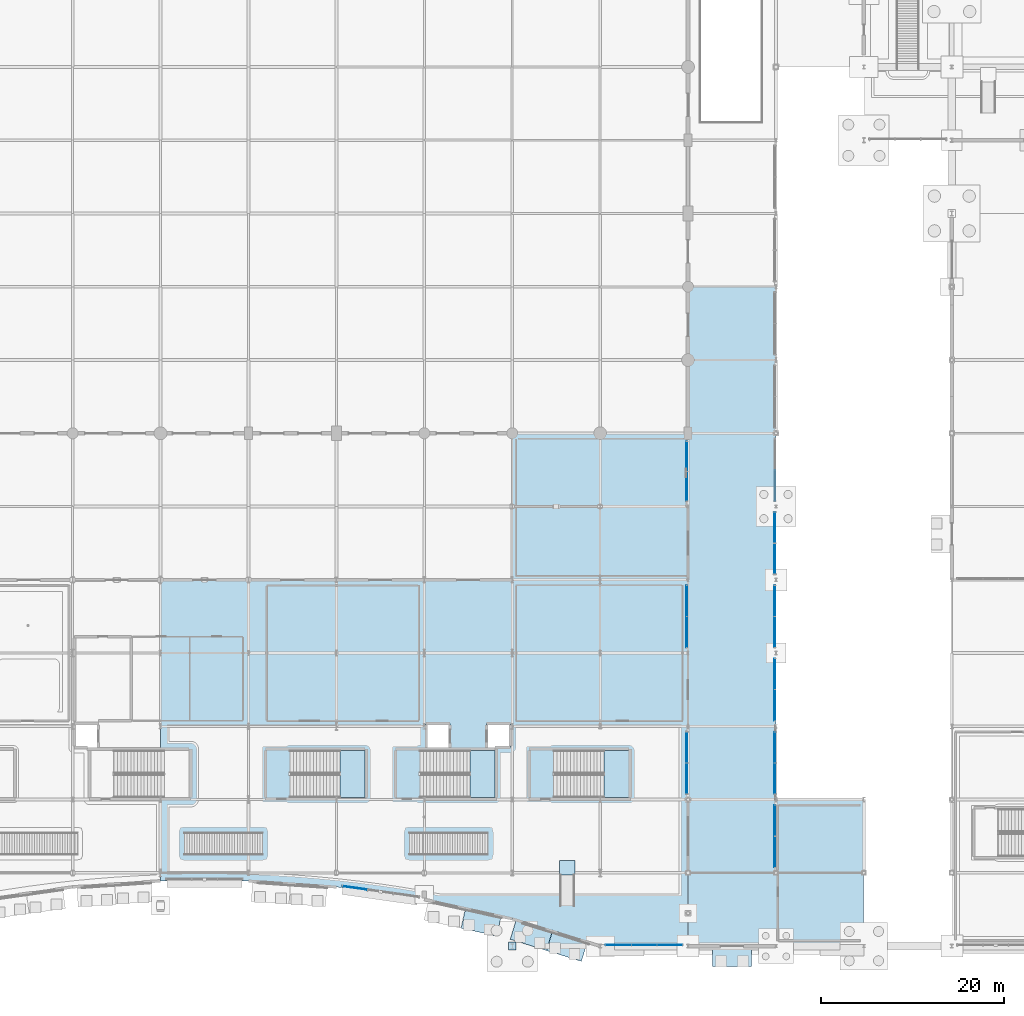
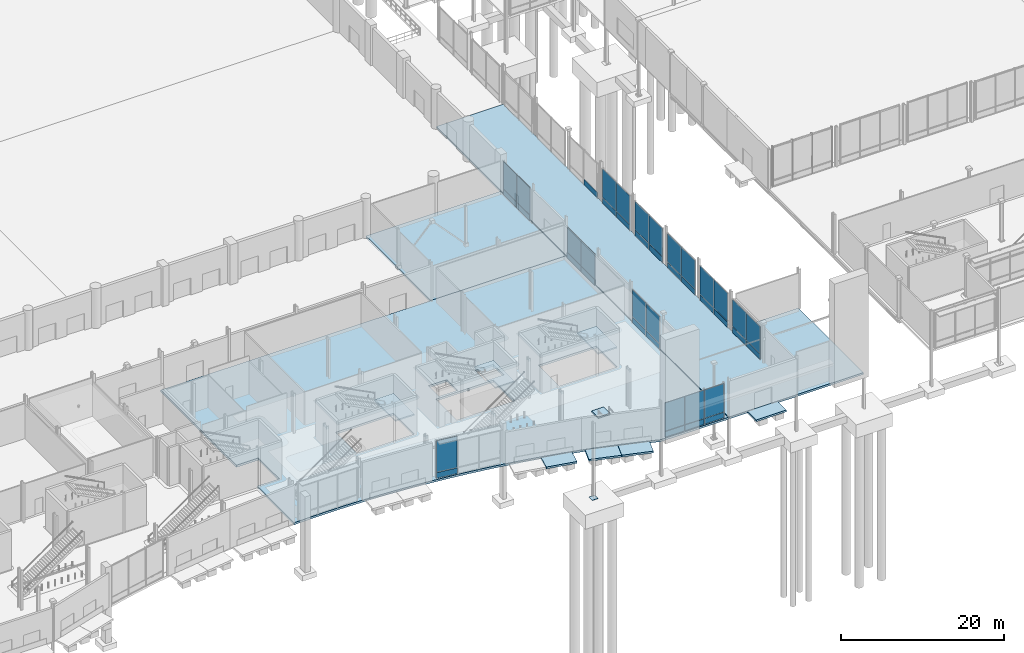
# One storey, part 67 of 124: 42 plates, 11 slabs, 14 elements without a shape of their own.
"""IFC4 building model written with IfcOpenShell, lengths in metres."""

from ifc_helpers import new_model, si_unit, direction, frame, origin, origin_2d, place, context, subcontext, project, spatial, polyline, rectangle, outline, extrude, material, layer, layer_set, type_object, element, aggregate, save


model = new_model("IFC4")

# Units and contexts
model_context = context("Model", 3, precision=1e-05, world=origin(), true_north=direction((0.0, 1.0)))
body_context = subcontext(model_context, "Body", "Model", "MODEL_VIEW")
ifc_project = project(units=[si_unit("LENGTHUNIT", "METRE"), si_unit("AREAUNIT", "SQUARE_METRE"), si_unit("VOLUMEUNIT", "CUBIC_METRE"), si_unit("PLANEANGLEUNIT", "RADIAN"), si_unit("MASSUNIT", "GRAM", prefix="KILO")], contexts=[model_context])

# Site, building, storey
site_placement = place(None, origin())
site = spatial("IfcSite", under=ifc_project, at=site_placement, CompositionType="ELEMENT")
building_placement = place(site_placement, origin())
building = spatial("IfcBuilding", under=site, at=building_placement, Name="Danafjord Basin Convention Centre", CompositionType="ELEMENT")
storey_placement = place(building_placement, origin())
storey = spatial("IfcBuildingStorey", under=building, at=storey_placement, Name="L00", CompositionType="ELEMENT", Elevation=0.0)

# Plate
ifc_material_1 = material(Name="Steel S355", Category="steel")
ifc_layer_1 = layer(ifc_material_1, 0.0400390625)
ifc_layer_set_1 = layer_set([ifc_layer_1], Name="Steel S355")
plate_type_1 = type_object("IfcPlateType", Name="PLT-BP-40", PredefinedType="SHEET", material=ifc_layer_set_1)
plate_1_placement = place(storey_placement, frame((96.0, 0.0, -5.39990234375), z_axis=(0.0, 0.0, 1.0), x_axis=(1.0, 0.0, 0.0)))
element("IfcPlate", 1, at=plate_1_placement, inside=storey, type_object=plate_type_1, Name="L00 column baseplate BP-40 at (96.0, 0.0)", PredefinedType="SHEET", context=body_context, shape_type="SweptSolid", body=[
    extrude(rectangle(XDim=0.85009765625, YDim=0.85009765625, at=origin_2d()), origin(), (0.0, 0.0, 1.0), 0.0400390625),
])

# Curtain wall, plate
ifc_material_2 = material(Name="Anodised aluminium and triple glazing", Category="aluminium")
curtain_wall_type_1 = type_object("IfcCurtainWallType", Name="CW-CW-HARB", PredefinedType="NOTDEFINED", material=ifc_material_2)
curtain_wall_1_placement = place(storey_placement, origin())
curtain_wall_1 = element("IfcCurtainWall", 2, at=curtain_wall_1_placement, inside=storey, type_object=curtain_wall_type_1, Name="L00 CW-HARB unitised curtain wall bay 14", PredefinedType="NOTDEFINED")
ifc_material_3 = material(Name="Triple low-E insulated glazing", Category="glass")
ifc_layer_2 = layer(ifc_material_3, 0.0380859375)
ifc_layer_set_2 = layer_set([ifc_layer_2], Name="Triple low-E insulated glazing")
plate_type_2 = type_object("IfcPlateType", Name="PLT-GP-38", PredefinedType="CURTAIN_PANEL", material=ifc_layer_set_2)
plate_2_placement = place(storey_placement, frame((78.822509765625, 6.35595703125, 0.97802734375), z_axis=(0.0, 0.0, 1.0), x_axis=(0.990128157327, -0.140165017276, 0.0)))
plate_2 = element("IfcPlate", 3, at=plate_2_placement, type_object=plate_type_2, Name="CW-L00-014 vision glazing unit 1", PredefinedType="CURTAIN_PANEL", context=body_context, shape_type="SweptSolid", body=[
    extrude(rectangle(XDim=2.77587890625, YDim=0.0380859375, at=origin_2d()), origin(), (0.0, 0.0, 1.0), 4.7041015625),
])

# Curtain wall, plates
curtain_wall_type_2 = type_object("IfcCurtainWallType", Name="CW-CW-TERR", PredefinedType="NOTDEFINED", material=ifc_material_2)
curtain_wall_2_placement = place(storey_placement, origin())
curtain_wall_2 = element("IfcCurtainWall", 4, at=curtain_wall_2_placement, inside=storey, type_object=curtain_wall_type_2, Name="L00 CW-TERR unitised curtain wall bay 44", PredefinedType="NOTDEFINED")
plate_3_placement = place(storey_placement, frame((115.050048828125, 18.300048828125, 0.97802734375), z_axis=(0.0, 0.0, 1.0), x_axis=(0.0, 1.0, 0.0)))
plate_3 = element("IfcPlate", 5, at=plate_3_placement, type_object=plate_type_2, Name="CW-L00-044 vision glazing unit 1", PredefinedType="CURTAIN_PANEL", context=body_context, shape_type="SweptSolid", body=[
    extrude(rectangle(XDim=3.343994140625, YDim=0.0380859375, at=origin_2d()), origin(), (0.0, 0.0, 1.0), 4.083984375),
])
plate_4_placement = place(storey_placement, frame((115.050048828125, 21.699951171875, 0.97802734375), z_axis=(0.0, 0.0, 1.0), x_axis=(0.0, 1.0, 0.0)))
plate_4 = element("IfcPlate", 6, at=plate_4_placement, type_object=plate_type_2, Name="CW-L00-044 vision glazing unit 2", PredefinedType="CURTAIN_PANEL", context=body_context, shape_type="SweptSolid", body=[
    extrude(rectangle(XDim=3.343994140625, YDim=0.0380859375, at=origin_2d()), origin(), (0.0, 0.0, 1.0), 4.083984375),
])

curtain_wall_3_placement = place(storey_placement, origin())
curtain_wall_3 = element("IfcCurtainWall", 7, at=curtain_wall_3_placement, inside=storey, type_object=curtain_wall_type_2, Name="L00 CW-TERR unitised curtain wall bay 46", PredefinedType="NOTDEFINED")
plate_5_placement = place(storey_placement, frame((115.050048828125, 50.22509765625, 0.97802734375), z_axis=(0.0, 0.0, 1.0), x_axis=(0.0, 1.0, 0.0)))
plate_5 = element("IfcPlate", 8, at=plate_5_placement, type_object=plate_type_2, Name="CW-L00-046 vision glazing unit 1", PredefinedType="CURTAIN_PANEL", context=body_context, shape_type="SweptSolid", body=[
    extrude(rectangle(XDim=3.194091796875, YDim=0.0380859375, at=origin_2d()), origin(), (0.0, 0.0, 1.0), 4.083984375),
])
plate_6_placement = place(storey_placement, frame((115.050048828125, 53.47509765625, 0.97802734375), z_axis=(0.0, 0.0, 1.0), x_axis=(0.0, 1.0, 0.0)))
plate_6 = element("IfcPlate", 9, at=plate_6_placement, type_object=plate_type_2, Name="CW-L00-046 vision glazing unit 2", PredefinedType="CURTAIN_PANEL", context=body_context, shape_type="SweptSolid", body=[
    extrude(rectangle(XDim=3.194091796875, YDim=0.0380859375, at=origin_2d()), origin(), (0.0, 0.0, 1.0), 4.083984375),
])

curtain_wall_4_placement = place(storey_placement, origin())
curtain_wall_4 = element("IfcCurtainWall", 10, at=curtain_wall_4_placement, inside=storey, type_object=curtain_wall_type_1, Name="L00 CW-HARB unitised curtain wall bay 15", PredefinedType="NOTDEFINED")
ifc_layer_3 = layer(ifc_material_3, 0.048095703125)
ifc_layer_set_3 = layer_set([ifc_layer_3], Name="Triple low-E insulated glazing")
plate_type_3 = type_object("IfcPlateType", Name="PLT-GP-48", PredefinedType="CURTAIN_PANEL", material=ifc_layer_set_3)
plate_7_placement = place(storey_placement, frame((107.60009765625, 0.1201171875, 0.97802734375), z_axis=(0.0, 0.0, 1.0), x_axis=(1.0, 0.0, 0.0)))
plate_7 = element("IfcPlate", 11, at=plate_7_placement, type_object=plate_type_3, Name="CW-L00-015 vision glazing unit 1", PredefinedType="CURTAIN_PANEL", context=body_context, shape_type="SweptSolid", body=[
    extrude(rectangle(XDim=2.743896484375, YDim=0.048095703125, at=origin_2d()), origin(), (0.0, 0.0, 1.0), 4.23388671875),
])
plate_8_placement = place(storey_placement, frame((110.39990234375, 0.1201171875, 0.97802734375), z_axis=(0.0, 0.0, 1.0), x_axis=(1.0, 0.0, 0.0)))
plate_8 = element("IfcPlate", 12, at=plate_8_placement, type_object=plate_type_3, Name="CW-L00-015 vision glazing unit 2", PredefinedType="CURTAIN_PANEL", context=body_context, shape_type="SweptSolid", body=[
    extrude(rectangle(XDim=2.743896484375, YDim=0.048095703125, at=origin_2d()), origin(), (0.0, 0.0, 1.0), 4.23388671875),
])
plate_9_placement = place(storey_placement, frame((113.199951171875, 0.1201171875, 0.97802734375), z_axis=(0.0, 0.0, 1.0), x_axis=(1.0, 0.0, 0.0)))
plate_9 = element("IfcPlate", 13, at=plate_9_placement, type_object=plate_type_3, Name="CW-L00-015 vision glazing unit 3", PredefinedType="CURTAIN_PANEL", context=body_context, shape_type="SweptSolid", body=[
    extrude(rectangle(XDim=2.743896484375, YDim=0.048095703125, at=origin_2d()), origin(), (0.0, 0.0, 1.0), 4.23388671875),
])

curtain_wall_5_placement = place(storey_placement, origin())
curtain_wall_5 = element("IfcCurtainWall", 14, at=curtain_wall_5_placement, inside=storey, type_object=curtain_wall_type_2, Name="L00 CW-TERR unitised curtain wall bay 45", PredefinedType="NOTDEFINED")
plate_10_placement = place(storey_placement, frame((115.050048828125, 34.300048828125, 0.97802734375), z_axis=(0.0, 0.0, 1.0), x_axis=(0.0, 1.0, 0.0)))
plate_10 = element("IfcPlate", 15, at=plate_10_placement, type_object=plate_type_3, Name="CW-L00-045 vision glazing unit 1", PredefinedType="CURTAIN_PANEL", context=body_context, shape_type="SweptSolid", body=[
    extrude(rectangle(XDim=3.343994140625, YDim=0.048095703125, at=origin_2d()), origin(), (0.0, 0.0, 1.0), 3.783935546875),
])
plate_11_placement = place(storey_placement, frame((115.050048828125, 37.699951171875, 0.97802734375), z_axis=(0.0, 0.0, 1.0), x_axis=(0.0, 1.0, 0.0)))
plate_11 = element("IfcPlate", 16, at=plate_11_placement, type_object=plate_type_3, Name="CW-L00-045 vision glazing unit 2", PredefinedType="CURTAIN_PANEL", context=body_context, shape_type="SweptSolid", body=[
    extrude(rectangle(XDim=3.343994140625, YDim=0.048095703125, at=origin_2d()), origin(), (0.0, 0.0, 1.0), 3.783935546875),
])

curtain_wall_type_3 = type_object("IfcCurtainWallType", Name="CW-CW-BRIDGE", PredefinedType="NOTDEFINED", material=ifc_material_2)
curtain_wall_6_placement = place(storey_placement, origin())
curtain_wall_6 = element("IfcCurtainWall", 17, at=curtain_wall_6_placement, inside=storey, type_object=curtain_wall_type_3, Name="L00 CW-BRIDGE unitised curtain wall bay 151", PredefinedType="NOTDEFINED")
plate_12_placement = place(storey_placement, frame((124.679931640625, 10.300048828125, 0.97802734375), z_axis=(0.0, 0.0, 1.0), x_axis=(0.0, 1.0, 0.0)))
plate_12 = element("IfcPlate", 18, at=plate_12_placement, type_object=plate_type_3, Name="CW-L00-151 vision glazing unit 1", PredefinedType="CURTAIN_PANEL", context=body_context, shape_type="SweptSolid", body=[
    extrude(rectangle(XDim=3.343994140625, YDim=0.048095703125, at=origin_2d()), origin(), (0.0, 0.0, 1.0), 4.083984375),
])
plate_13_placement = place(storey_placement, frame((124.679931640625, 13.699951171875, 0.97802734375), z_axis=(0.0, 0.0, 1.0), x_axis=(0.0, 1.0, 0.0)))
plate_13 = element("IfcPlate", 19, at=plate_13_placement, type_object=plate_type_3, Name="CW-L00-151 vision glazing unit 2", PredefinedType="CURTAIN_PANEL", context=body_context, shape_type="SweptSolid", body=[
    extrude(rectangle(XDim=3.343994140625, YDim=0.048095703125, at=origin_2d()), origin(), (0.0, 0.0, 1.0), 4.083984375),
])

curtain_wall_7_placement = place(storey_placement, origin())
curtain_wall_7 = element("IfcCurtainWall", 20, at=curtain_wall_7_placement, inside=storey, type_object=curtain_wall_type_3, Name="L00 CW-BRIDGE unitised curtain wall bay 153", PredefinedType="NOTDEFINED")
plate_14_placement = place(storey_placement, frame((124.679931640625, 18.300048828125, 0.97802734375), z_axis=(0.0, 0.0, 1.0), x_axis=(0.0, 1.0, 0.0)))
plate_14 = element("IfcPlate", 21, at=plate_14_placement, type_object=plate_type_3, Name="CW-L00-153 vision glazing unit 1", PredefinedType="CURTAIN_PANEL", context=body_context, shape_type="SweptSolid", body=[
    extrude(rectangle(XDim=3.343994140625, YDim=0.048095703125, at=origin_2d()), origin(), (0.0, 0.0, 1.0), 4.23388671875),
])
plate_15_placement = place(storey_placement, frame((124.679931640625, 21.699951171875, 0.97802734375), z_axis=(0.0, 0.0, 1.0), x_axis=(0.0, 1.0, 0.0)))
plate_15 = element("IfcPlate", 22, at=plate_15_placement, type_object=plate_type_3, Name="CW-L00-153 vision glazing unit 2", PredefinedType="CURTAIN_PANEL", context=body_context, shape_type="SweptSolid", body=[
    extrude(rectangle(XDim=3.343994140625, YDim=0.048095703125, at=origin_2d()), origin(), (0.0, 0.0, 1.0), 4.23388671875),
])

curtain_wall_8_placement = place(storey_placement, origin())
curtain_wall_8 = element("IfcCurtainWall", 23, at=curtain_wall_8_placement, inside=storey, type_object=curtain_wall_type_3, Name="L00 CW-BRIDGE unitised curtain wall bay 155", PredefinedType="NOTDEFINED")
plate_16_placement = place(storey_placement, frame((124.679931640625, 26.300048828125, 0.97802734375), z_axis=(0.0, 0.0, 1.0), x_axis=(0.0, 1.0, 0.0)))
plate_16 = element("IfcPlate", 24, at=plate_16_placement, type_object=plate_type_3, Name="CW-L00-155 vision glazing unit 1", PredefinedType="CURTAIN_PANEL", context=body_context, shape_type="SweptSolid", body=[
    extrude(rectangle(XDim=3.343994140625, YDim=0.048095703125, at=origin_2d()), origin(), (0.0, 0.0, 1.0), 4.283935546875),
])
plate_17_placement = place(storey_placement, frame((124.679931640625, 29.699951171875, 0.97802734375), z_axis=(0.0, 0.0, 1.0), x_axis=(0.0, 1.0, 0.0)))
plate_17 = element("IfcPlate", 25, at=plate_17_placement, type_object=plate_type_3, Name="CW-L00-155 vision glazing unit 2", PredefinedType="CURTAIN_PANEL", context=body_context, shape_type="SweptSolid", body=[
    extrude(rectangle(XDim=3.343994140625, YDim=0.048095703125, at=origin_2d()), origin(), (0.0, 0.0, 1.0), 4.283935546875),
])

curtain_wall_9_placement = place(storey_placement, origin())
curtain_wall_9 = element("IfcCurtainWall", 26, at=curtain_wall_9_placement, inside=storey, type_object=curtain_wall_type_3, Name="L00 CW-BRIDGE unitised curtain wall bay 157", PredefinedType="NOTDEFINED")
plate_18_placement = place(storey_placement, frame((124.679931640625, 34.300048828125, 0.97802734375), z_axis=(0.0, 0.0, 1.0), x_axis=(0.0, 1.0, 0.0)))
plate_18 = element("IfcPlate", 27, at=plate_18_placement, type_object=plate_type_3, Name="CW-L00-157 vision glazing unit 1", PredefinedType="CURTAIN_PANEL", context=body_context, shape_type="SweptSolid", body=[
    extrude(rectangle(XDim=3.343994140625, YDim=0.048095703125, at=origin_2d()), origin(), (0.0, 0.0, 1.0), 4.23388671875),
])
plate_19_placement = place(storey_placement, frame((124.679931640625, 37.699951171875, 0.97802734375), z_axis=(0.0, 0.0, 1.0), x_axis=(0.0, 1.0, 0.0)))
plate_19 = element("IfcPlate", 28, at=plate_19_placement, type_object=plate_type_3, Name="CW-L00-157 vision glazing unit 2", PredefinedType="CURTAIN_PANEL", context=body_context, shape_type="SweptSolid", body=[
    extrude(rectangle(XDim=3.343994140625, YDim=0.048095703125, at=origin_2d()), origin(), (0.0, 0.0, 1.0), 4.23388671875),
])

curtain_wall_10_placement = place(storey_placement, origin())
curtain_wall_10 = element("IfcCurtainWall", 29, at=curtain_wall_10_placement, inside=storey, type_object=curtain_wall_type_3, Name="L00 CW-BRIDGE unitised curtain wall bay 159", PredefinedType="NOTDEFINED")
plate_20_placement = place(storey_placement, frame((124.679931640625, 42.300048828125, 0.97802734375), z_axis=(0.0, 0.0, 1.0), x_axis=(0.0, 1.0, 0.0)))
plate_20 = element("IfcPlate", 30, at=plate_20_placement, type_object=plate_type_3, Name="CW-L00-159 vision glazing unit 1", PredefinedType="CURTAIN_PANEL", context=body_context, shape_type="SweptSolid", body=[
    extrude(rectangle(XDim=3.343994140625, YDim=0.048095703125, at=origin_2d()), origin(), (0.0, 0.0, 1.0), 4.283935546875),
])
plate_21_placement = place(storey_placement, frame((124.679931640625, 45.699951171875, 0.97802734375), z_axis=(0.0, 0.0, 1.0), x_axis=(0.0, 1.0, 0.0)))
plate_21 = element("IfcPlate", 31, at=plate_21_placement, type_object=plate_type_3, Name="CW-L00-159 vision glazing unit 2", PredefinedType="CURTAIN_PANEL", context=body_context, shape_type="SweptSolid", body=[
    extrude(rectangle(XDim=3.343994140625, YDim=0.048095703125, at=origin_2d()), origin(), (0.0, 0.0, 1.0), 4.283935546875),
])

# Plate
ifc_material_4 = material(Name="Insulated aluminium spandrel cassette", Category="aluminium")
ifc_layer_4 = layer(ifc_material_4, 0.070068359375)
ifc_layer_set_4 = layer_set([ifc_layer_4], Name="Insulated aluminium spandrel cassette")
plate_type_4 = type_object("IfcPlateType", Name="PLT-SPN-70", PredefinedType="CURTAIN_PANEL", material=ifc_layer_set_4)
plate_22_placement = place(storey_placement, frame((78.822509765625, 6.35595703125, 0.087890625), z_axis=(0.0, 0.0, 1.0), x_axis=(0.990128157327, -0.140165017276, 0.0)))
plate_22 = element("IfcPlate", 32, at=plate_22_placement, type_object=plate_type_4, Name="CW-L00-014 spandrel cassette 1", PredefinedType="CURTAIN_PANEL", context=body_context, shape_type="SweptSolid", body=[
    extrude(rectangle(XDim=2.77587890625, YDim=0.070068359375, at=origin_2d()), origin(), (0.0, 0.0, 1.0), 0.833984375),
])

aggregate(curtain_wall_1, [plate_22, plate_2])

plate_23_placement = place(storey_placement, frame((115.050048828125, 18.300048828125, 0.087890625), z_axis=(0.0, 0.0, 1.0), x_axis=(0.0, 1.0, 0.0)))
plate_23 = element("IfcPlate", 33, at=plate_23_placement, type_object=plate_type_4, Name="CW-L00-044 spandrel cassette 1", PredefinedType="CURTAIN_PANEL", context=body_context, shape_type="SweptSolid", body=[
    extrude(rectangle(XDim=3.343994140625, YDim=0.070068359375, at=origin_2d()), origin(), (0.0, 0.0, 1.0), 0.833984375),
])

plate_24_placement = place(storey_placement, frame((115.050048828125, 21.699951171875, 0.087890625), z_axis=(0.0, 0.0, 1.0), x_axis=(0.0, 1.0, 0.0)))
plate_24 = element("IfcPlate", 34, at=plate_24_placement, type_object=plate_type_4, Name="CW-L00-044 spandrel cassette 2", PredefinedType="CURTAIN_PANEL", context=body_context, shape_type="SweptSolid", body=[
    extrude(rectangle(XDim=3.343994140625, YDim=0.070068359375, at=origin_2d()), origin(), (0.0, 0.0, 1.0), 0.833984375),
])

aggregate(curtain_wall_2, [plate_23, plate_3, plate_24, plate_4])

plate_25_placement = place(storey_placement, frame((115.050048828125, 50.22509765625, 0.087890625), z_axis=(0.0, 0.0, 1.0), x_axis=(0.0, 1.0, 0.0)))
plate_25 = element("IfcPlate", 35, at=plate_25_placement, type_object=plate_type_4, Name="CW-L00-046 spandrel cassette 1", PredefinedType="CURTAIN_PANEL", context=body_context, shape_type="SweptSolid", body=[
    extrude(rectangle(XDim=3.194091796875, YDim=0.070068359375, at=origin_2d()), origin(), (0.0, 0.0, 1.0), 0.833984375),
])

plate_26_placement = place(storey_placement, frame((115.050048828125, 53.47509765625, 0.087890625), z_axis=(0.0, 0.0, 1.0), x_axis=(0.0, 1.0, 0.0)))
plate_26 = element("IfcPlate", 36, at=plate_26_placement, type_object=plate_type_4, Name="CW-L00-046 spandrel cassette 2", PredefinedType="CURTAIN_PANEL", context=body_context, shape_type="SweptSolid", body=[
    extrude(rectangle(XDim=3.194091796875, YDim=0.070068359375, at=origin_2d()), origin(), (0.0, 0.0, 1.0), 0.833984375),
])

aggregate(curtain_wall_3, [plate_25, plate_5, plate_26, plate_6])

# Curtain wall, plate
curtain_wall_11_placement = place(storey_placement, origin())
curtain_wall_11 = element("IfcCurtainWall", 37, at=curtain_wall_11_placement, inside=storey, type_object=curtain_wall_type_3, Name="L00 CW-BRIDGE unitised curtain wall bay 162", PredefinedType="NOTDEFINED")
plate_27_placement = place(storey_placement, frame((124.679931640625, 50.300048828125, 0.087890625), z_axis=(0.0, 0.0, 1.0), x_axis=(0.0, 1.0, 0.0)))
plate_27 = element("IfcPlate", 38, at=plate_27_placement, type_object=plate_type_4, Name="CW-L00-162 spandrel cassette 1", PredefinedType="CURTAIN_PANEL", context=body_context, shape_type="SweptSolid", body=[
    extrude(rectangle(XDim=3.343994140625, YDim=0.070068359375, at=origin_2d()), origin(), (0.0, 0.0, 1.0), 0.833984375),
])
aggregate(curtain_wall_11, [plate_27])

# Plate
ifc_layer_5 = layer(ifc_material_4, 0.090087890625)
ifc_layer_set_5 = layer_set([ifc_layer_5], Name="Insulated aluminium spandrel cassette")
plate_type_5 = type_object("IfcPlateType", Name="PLT-SPN-90", PredefinedType="CURTAIN_PANEL", material=ifc_layer_set_5)
plate_28_placement = place(storey_placement, frame((107.60009765625, 0.1201171875, 0.087890625), z_axis=(0.0, 0.0, 1.0), x_axis=(1.0, 0.0, 0.0)))
plate_28 = element("IfcPlate", 39, at=plate_28_placement, type_object=plate_type_5, Name="CW-L00-015 spandrel cassette 1", PredefinedType="CURTAIN_PANEL", context=body_context, shape_type="SweptSolid", body=[
    extrude(rectangle(XDim=2.743896484375, YDim=0.090087890625, at=origin_2d()), origin(), (0.0, 0.0, 1.0), 0.833984375),
])

plate_29_placement = place(storey_placement, frame((110.39990234375, 0.1201171875, 0.087890625), z_axis=(0.0, 0.0, 1.0), x_axis=(1.0, 0.0, 0.0)))
plate_29 = element("IfcPlate", 40, at=plate_29_placement, type_object=plate_type_5, Name="CW-L00-015 spandrel cassette 2", PredefinedType="CURTAIN_PANEL", context=body_context, shape_type="SweptSolid", body=[
    extrude(rectangle(XDim=2.743896484375, YDim=0.090087890625, at=origin_2d()), origin(), (0.0, 0.0, 1.0), 0.833984375),
])

plate_30_placement = place(storey_placement, frame((113.199951171875, 0.1201171875, 0.087890625), z_axis=(0.0, 0.0, 1.0), x_axis=(1.0, 0.0, 0.0)))
plate_30 = element("IfcPlate", 41, at=plate_30_placement, type_object=plate_type_5, Name="CW-L00-015 spandrel cassette 3", PredefinedType="CURTAIN_PANEL", context=body_context, shape_type="SweptSolid", body=[
    extrude(rectangle(XDim=2.743896484375, YDim=0.090087890625, at=origin_2d()), origin(), (0.0, 0.0, 1.0), 0.833984375),
])

aggregate(curtain_wall_4, [plate_28, plate_7, plate_29, plate_8, plate_30, plate_9])

plate_31_placement = place(storey_placement, frame((115.050048828125, 34.300048828125, 0.087890625), z_axis=(0.0, 0.0, 1.0), x_axis=(0.0, 1.0, 0.0)))
plate_31 = element("IfcPlate", 42, at=plate_31_placement, type_object=plate_type_5, Name="CW-L00-045 spandrel cassette 1", PredefinedType="CURTAIN_PANEL", context=body_context, shape_type="SweptSolid", body=[
    extrude(rectangle(XDim=3.343994140625, YDim=0.090087890625, at=origin_2d()), origin(), (0.0, 0.0, 1.0), 0.833984375),
])

plate_32_placement = place(storey_placement, frame((115.050048828125, 37.699951171875, 0.087890625), z_axis=(0.0, 0.0, 1.0), x_axis=(0.0, 1.0, 0.0)))
plate_32 = element("IfcPlate", 43, at=plate_32_placement, type_object=plate_type_5, Name="CW-L00-045 spandrel cassette 2", PredefinedType="CURTAIN_PANEL", context=body_context, shape_type="SweptSolid", body=[
    extrude(rectangle(XDim=3.343994140625, YDim=0.090087890625, at=origin_2d()), origin(), (0.0, 0.0, 1.0), 0.833984375),
])

aggregate(curtain_wall_5, [plate_31, plate_10, plate_32, plate_11])

plate_33_placement = place(storey_placement, frame((124.679931640625, 10.300048828125, 0.087890625), z_axis=(0.0, 0.0, 1.0), x_axis=(0.0, 1.0, 0.0)))
plate_33 = element("IfcPlate", 44, at=plate_33_placement, type_object=plate_type_5, Name="CW-L00-151 spandrel cassette 1", PredefinedType="CURTAIN_PANEL", context=body_context, shape_type="SweptSolid", body=[
    extrude(rectangle(XDim=3.343994140625, YDim=0.090087890625, at=origin_2d()), origin(), (0.0, 0.0, 1.0), 0.833984375),
])

plate_34_placement = place(storey_placement, frame((124.679931640625, 13.699951171875, 0.087890625), z_axis=(0.0, 0.0, 1.0), x_axis=(0.0, 1.0, 0.0)))
plate_34 = element("IfcPlate", 45, at=plate_34_placement, type_object=plate_type_5, Name="CW-L00-151 spandrel cassette 2", PredefinedType="CURTAIN_PANEL", context=body_context, shape_type="SweptSolid", body=[
    extrude(rectangle(XDim=3.343994140625, YDim=0.090087890625, at=origin_2d()), origin(), (0.0, 0.0, 1.0), 0.833984375),
])

aggregate(curtain_wall_6, [plate_33, plate_12, plate_34, plate_13])

plate_35_placement = place(storey_placement, frame((124.679931640625, 18.300048828125, 0.087890625), z_axis=(0.0, 0.0, 1.0), x_axis=(0.0, 1.0, 0.0)))
plate_35 = element("IfcPlate", 46, at=plate_35_placement, type_object=plate_type_5, Name="CW-L00-153 spandrel cassette 1", PredefinedType="CURTAIN_PANEL", context=body_context, shape_type="SweptSolid", body=[
    extrude(rectangle(XDim=3.343994140625, YDim=0.090087890625, at=origin_2d()), origin(), (0.0, 0.0, 1.0), 0.833984375),
])

plate_36_placement = place(storey_placement, frame((124.679931640625, 21.699951171875, 0.087890625), z_axis=(0.0, 0.0, 1.0), x_axis=(0.0, 1.0, 0.0)))
plate_36 = element("IfcPlate", 47, at=plate_36_placement, type_object=plate_type_5, Name="CW-L00-153 spandrel cassette 2", PredefinedType="CURTAIN_PANEL", context=body_context, shape_type="SweptSolid", body=[
    extrude(rectangle(XDim=3.343994140625, YDim=0.090087890625, at=origin_2d()), origin(), (0.0, 0.0, 1.0), 0.833984375),
])

aggregate(curtain_wall_7, [plate_35, plate_14, plate_36, plate_15])

plate_37_placement = place(storey_placement, frame((124.679931640625, 26.300048828125, 0.087890625), z_axis=(0.0, 0.0, 1.0), x_axis=(0.0, 1.0, 0.0)))
plate_37 = element("IfcPlate", 48, at=plate_37_placement, type_object=plate_type_5, Name="CW-L00-155 spandrel cassette 1", PredefinedType="CURTAIN_PANEL", context=body_context, shape_type="SweptSolid", body=[
    extrude(rectangle(XDim=3.343994140625, YDim=0.090087890625, at=origin_2d()), origin(), (0.0, 0.0, 1.0), 0.833984375),
])

plate_38_placement = place(storey_placement, frame((124.679931640625, 29.699951171875, 0.087890625), z_axis=(0.0, 0.0, 1.0), x_axis=(0.0, 1.0, 0.0)))
plate_38 = element("IfcPlate", 49, at=plate_38_placement, type_object=plate_type_5, Name="CW-L00-155 spandrel cassette 2", PredefinedType="CURTAIN_PANEL", context=body_context, shape_type="SweptSolid", body=[
    extrude(rectangle(XDim=3.343994140625, YDim=0.090087890625, at=origin_2d()), origin(), (0.0, 0.0, 1.0), 0.833984375),
])

aggregate(curtain_wall_8, [plate_37, plate_16, plate_38, plate_17])

plate_39_placement = place(storey_placement, frame((124.679931640625, 34.300048828125, 0.087890625), z_axis=(0.0, 0.0, 1.0), x_axis=(0.0, 1.0, 0.0)))
plate_39 = element("IfcPlate", 50, at=plate_39_placement, type_object=plate_type_5, Name="CW-L00-157 spandrel cassette 1", PredefinedType="CURTAIN_PANEL", context=body_context, shape_type="SweptSolid", body=[
    extrude(rectangle(XDim=3.343994140625, YDim=0.090087890625, at=origin_2d()), origin(), (0.0, 0.0, 1.0), 0.833984375),
])

plate_40_placement = place(storey_placement, frame((124.679931640625, 37.699951171875, 0.087890625), z_axis=(0.0, 0.0, 1.0), x_axis=(0.0, 1.0, 0.0)))
plate_40 = element("IfcPlate", 51, at=plate_40_placement, type_object=plate_type_5, Name="CW-L00-157 spandrel cassette 2", PredefinedType="CURTAIN_PANEL", context=body_context, shape_type="SweptSolid", body=[
    extrude(rectangle(XDim=3.343994140625, YDim=0.090087890625, at=origin_2d()), origin(), (0.0, 0.0, 1.0), 0.833984375),
])

aggregate(curtain_wall_9, [plate_39, plate_18, plate_40, plate_19])

plate_41_placement = place(storey_placement, frame((124.679931640625, 42.300048828125, 0.087890625), z_axis=(0.0, 0.0, 1.0), x_axis=(0.0, 1.0, 0.0)))
plate_41 = element("IfcPlate", 52, at=plate_41_placement, type_object=plate_type_5, Name="CW-L00-159 spandrel cassette 1", PredefinedType="CURTAIN_PANEL", context=body_context, shape_type="SweptSolid", body=[
    extrude(rectangle(XDim=3.343994140625, YDim=0.090087890625, at=origin_2d()), origin(), (0.0, 0.0, 1.0), 0.833984375),
])

plate_42_placement = place(storey_placement, frame((124.679931640625, 45.699951171875, 0.087890625), z_axis=(0.0, 0.0, 1.0), x_axis=(0.0, 1.0, 0.0)))
plate_42 = element("IfcPlate", 53, at=plate_42_placement, type_object=plate_type_5, Name="CW-L00-159 spandrel cassette 2", PredefinedType="CURTAIN_PANEL", context=body_context, shape_type="SweptSolid", body=[
    extrude(rectangle(XDim=3.343994140625, YDim=0.090087890625, at=origin_2d()), origin(), (0.0, 0.0, 1.0), 0.833984375),
])

aggregate(curtain_wall_10, [plate_41, plate_20, plate_42, plate_21])

# Slabs
ifc_material_5 = material(Name="Concrete C40/50", Category="concrete")
ifc_layer_6 = layer(ifc_material_5, 0.280029296875)
ifc_layer_set_6 = layer_set([ifc_layer_6], Name="Concrete C40/50")
slab_type_1 = type_object("IfcSlabType", Name="SLAB-EXT-280", PredefinedType="FLOOR", material=ifc_layer_set_6)
slab_1_placement = place(storey_placement, frame((0.0, 0.0, -0.280029296875)))
element("IfcSlab", 54, at=slab_1_placement, inside=storey, type_object=slab_type_1, Name="L00 exterior threshold apron HBEX59", PredefinedType="FLOOR", context=body_context, shape_type="SweptSolid", body=[
    extrude(outline(polyline([(94.7890625, 3.2470703125), (94.31591796875, 1.097900390625), (90.425048828125, 1.9541015625), (90.425048828125, 1.9541015625), (90.89794921875, 4.10302734375), (94.7890625, 3.2470703125)])), origin(), (0.0, 0.0, 1.0), 0.280029296875),
])
slab_2_placement = place(storey_placement, frame((0.0, 0.0, -0.280029296875)))
element("IfcSlab", 55, at=slab_2_placement, inside=storey, type_object=slab_type_1, Name="L00 exterior threshold apron HBEX60", PredefinedType="FLOOR", context=body_context, shape_type="SweptSolid", body=[
    extrude(outline(polyline([(100.384033203125, 1.618896484375), (99.73193359375, -0.48193359375), (95.778076171875, 0.74609375), (96.429931640625, 2.846923828125), (96.443115234375, 2.843017578125), (100.384033203125, 1.618896484375)])), origin(), (0.0, 0.0, 1.0), 0.280029296875),
])
slab_3_placement = place(storey_placement, frame((0.0, 0.0, -0.280029296875)))
element("IfcSlab", 56, at=slab_3_placement, inside=storey, type_object=slab_type_1, Name="L00 exterior threshold apron HBEX61", PredefinedType="FLOOR", context=body_context, shape_type="SweptSolid", body=[
    extrude(outline(polyline([(104.2041015625, 0.43310546875), (103.552001953125, -1.66796875), (99.74609375, -0.486083984375), (100.39794921875, 1.614990234375), (100.39794921875, 1.614990234375), (104.2041015625, 0.43310546875)])), origin(), (0.0, 0.0, 1.0), 0.280029296875),
])
slab_4_placement = place(storey_placement, frame((0.0, 0.0, -0.280029296875)))
element("IfcSlab", 57, at=slab_4_placement, inside=storey, type_object=slab_type_1, Name="L00 exterior threshold apron CLOEX", PredefinedType="FLOOR", context=body_context, shape_type="SweptSolid", body=[
    extrude(outline(polyline([(122.139892578125, -2.199951171875), (117.860107421875, -2.199951171875), (117.860107421875, -0.014892578125), (122.139892578125, -0.014892578125), (122.139892578125, -2.199951171875)])), origin(), (0.0, 0.0, 1.0), 0.280029296875),
])
ifc_material_6 = material(Name="Concrete C35/45", Category="concrete")
ifc_layer_7 = layer(ifc_material_6, 0.2900390625)
ifc_layer_set_7 = layer_set([ifc_layer_7], Name="Concrete C35/45")
slab_type_2 = type_object("IfcSlabType", Name="SLAB-FS-290", PredefinedType="FLOOR", material=ifc_layer_set_7)
slab_5_placement = place(storey_placement, frame((0.0, 0.0, -0.2900390625)))
element("IfcSlab", 58, at=slab_5_placement, inside=storey, type_object=slab_type_2, Name="L00 FS-290 slab SL-L00-V6S", PredefinedType="FLOOR", context=body_context, shape_type="SweptSolid", body=[
    extrude(outline(polyline([(115.25, 0.0), (115.25, 72.0), (124.800048828125, 72.0), (124.800048828125, 16.0), (134.35009765625, 16.0), (134.35009765625, 0.0), (115.25, 0.0)])), origin(), (0.0, 0.0, 1.0), 0.2900390625),
])
ifc_layer_8 = layer(ifc_material_6, 0.31005859375)
ifc_layer_set_8 = layer_set([ifc_layer_8], Name="Concrete C35/45")
slab_type_3 = type_object("IfcSlabType", Name="SLAB-FS-310", PredefinedType="FLOOR", material=ifc_layer_set_8)
slab_6_placement = place(storey_placement, frame((0.0, 0.0, -0.31005859375)))
element("IfcSlab", 59, at=slab_6_placement, inside=storey, type_object=slab_type_3, Name="L00 FS-310 slab SL-L00-V4E", PredefinedType="FLOOR", context=body_context, shape_type="SweptSolid", body=[
    extrude(outline(polyline([(60.72998046875, 16.2099609375), (60.72998046875, 21.35009765625), (57.60009765625, 21.35009765625), (57.60009765625, 40.0), (115.14990234375, 40.0), (115.14990234375, 0.0), (107.956298828125, 0.0), (105.558349609375, 0.014892578125), (103.160400390625, 0.847900390625), (100.762451171875, 1.6201171875), (98.364501953125, 2.33203125), (95.966796875, 2.989013671875), (93.568603515625, 3.592041015625), (91.1708984375, 4.14306640625), (88.77294921875, 4.64404296875), (86.375, 5.097900390625), (83.97705078125, 5.50390625), (81.5791015625, 5.864990234375), (79.181396484375, 6.180908203125), (76.783203125, 6.4541015625), (74.385498046875, 6.68310546875), (71.987548828125, 6.8701171875), (69.589599609375, 7.014892578125), (67.191650390625, 7.117919921875), (64.793701171875, 7.178955078125), (62.395751953125, 7.199951171875), (59.997802734375, 7.178955078125), (57.60009765625, 7.116943359375), (57.60009765625, 16.2099609375), (60.72998046875, 16.2099609375)]), holes=[polyline([(100.530029296875, 21.35009765625), (100.530029296875, 16.2099609375), (108.72998046875, 16.2099609375), (108.72998046875, 21.35009765625), (100.530029296875, 21.35009765625)]), polyline([(93.199951171875, 24.300048828125), (93.199951171875, 21.699951171875), (95.800048828125, 21.699951171875), (95.800048828125, 24.300048828125), (93.199951171875, 24.300048828125)]), polyline([(85.929931640625, 21.35009765625), (85.929931640625, 16.2099609375), (94.1298828125, 16.2099609375), (94.1298828125, 21.35009765625), (85.929931640625, 21.35009765625)]), polyline([(89.199951171875, 24.300048828125), (86.60009765625, 24.300048828125), (86.60009765625, 21.699951171875), (89.199951171875, 21.699951171875), (89.199951171875, 24.300048828125)]), polyline([(71.72998046875, 16.2099609375), (79.929931640625, 16.2099609375), (79.929931640625, 21.35009765625), (71.72998046875, 21.35009765625), (71.72998046875, 16.2099609375)])]), origin(), (0.0, 0.0, 1.0), 0.31005859375),
])
slab_7_placement = place(storey_placement, frame((0.0, 0.0, -0.31005859375)))
element("IfcSlab", 60, at=slab_7_placement, inside=storey, type_object=slab_type_3, Name="L00 FS-310 slab SL-L00-V4LE", PredefinedType="FLOOR", context=body_context, shape_type="SweptSolid", body=[
    extrude(outline(polyline([(96.0, 40.0), (96.0, 56.0), (115.14990234375, 56.0), (115.14990234375, 40.0), (96.0, 40.0)])), origin(), (0.0, 0.0, 1.0), 0.31005859375),
])

# Stair, slab
stair_type = type_object("IfcStairType", Name="STAIR-STR-C01", PredefinedType="TWO_STRAIGHT_RUN_STAIR", material=ifc_material_5)
stair_1_placement = place(storey_placement, origin())
stair_1 = element("IfcStair", 61, at=stair_1_placement, inside=storey, type_object=stair_type, Name="L00 Central Harbour Core Stair 1", PredefinedType="HALF_TURN_STAIR")
ifc_layer_9 = layer(ifc_material_5, 0.199951171875)
ifc_layer_set_9 = layer_set([ifc_layer_9], Name="Concrete C40/50")
slab_type_4 = type_object("IfcSlabType", Name="SLAB-LAND-200", PredefinedType="LANDING", material=ifc_layer_set_9)
slab_8_placement = place(storey_placement, frame((0.0, 0.0, 2.800048828125)))
slab_8 = element("IfcSlab", 62, at=slab_8_placement, type_object=slab_type_4, Name="ST-03 landing 1", PredefinedType="LANDING", context=body_context, shape_type="SweptSolid", body=[
    extrude(outline(polyline([(91.405029296875, 16.2099609375), (94.1298828125, 16.2099609375), (94.1298828125, 21.35009765625), (91.405029296875, 21.35009765625), (91.405029296875, 16.2099609375)])), origin(), (0.0, 0.0, 1.0), 0.199951171875),
])
aggregate(stair_1, [slab_8])

stair_2_placement = place(storey_placement, origin())
stair_2 = element("IfcStair", 63, at=stair_2_placement, inside=storey, type_object=stair_type, Name="L00 East Harbour Escape Stair 2", PredefinedType="HALF_TURN_STAIR")
slab_9_placement = place(storey_placement, frame((0.0, 0.0, 2.800048828125)))
slab_9 = element("IfcSlab", 64, at=slab_9_placement, type_object=slab_type_4, Name="ST-04 landing 1", PredefinedType="LANDING", context=body_context, shape_type="SweptSolid", body=[
    extrude(outline(polyline([(106.0048828125, 16.2099609375), (108.72998046875, 16.2099609375), (108.72998046875, 21.35009765625), (106.0048828125, 21.35009765625), (106.0048828125, 16.2099609375)])), origin(), (0.0, 0.0, 1.0), 0.199951171875),
])
aggregate(stair_2, [slab_9])

stair_3_placement = place(storey_placement, origin())
stair_3 = element("IfcStair", 65, at=stair_3_placement, inside=storey, type_object=stair_type, Name="L00 Mid-Arc Escape Stair 2", PredefinedType="HALF_TURN_STAIR")
slab_10_placement = place(storey_placement, frame((0.0, 0.0, 2.800048828125)))
slab_10 = element("IfcSlab", 66, at=slab_10_placement, type_object=slab_type_4, Name="ST-06 landing 1", PredefinedType="LANDING", context=body_context, shape_type="SweptSolid", body=[
    extrude(outline(polyline([(77.205078125, 16.2099609375), (79.929931640625, 16.2099609375), (79.929931640625, 21.35009765625), (77.205078125, 21.35009765625), (77.205078125, 16.2099609375)])), origin(), (0.0, 0.0, 1.0), 0.199951171875),
])
aggregate(stair_3, [slab_10])

# Slab
slab_11_placement = place(storey_placement, origin())
element("IfcSlab", 67, at=slab_11_placement, inside=storey, type_object=slab_type_4, Name="AR-02 threshold landing", PredefinedType="LANDING", context=body_context, shape_type="SweptSolid", body=[
    extrude(outline(polyline([(101.14990234375, 7.780029296875), (102.85009765625, 7.780029296875), (102.85009765625, 9.35009765625), (101.14990234375, 9.35009765625), (101.14990234375, 7.780029296875)])), origin(), (0.0, 0.0, 1.0), 0.199951171875),
])

save(model, "model.ifc")
